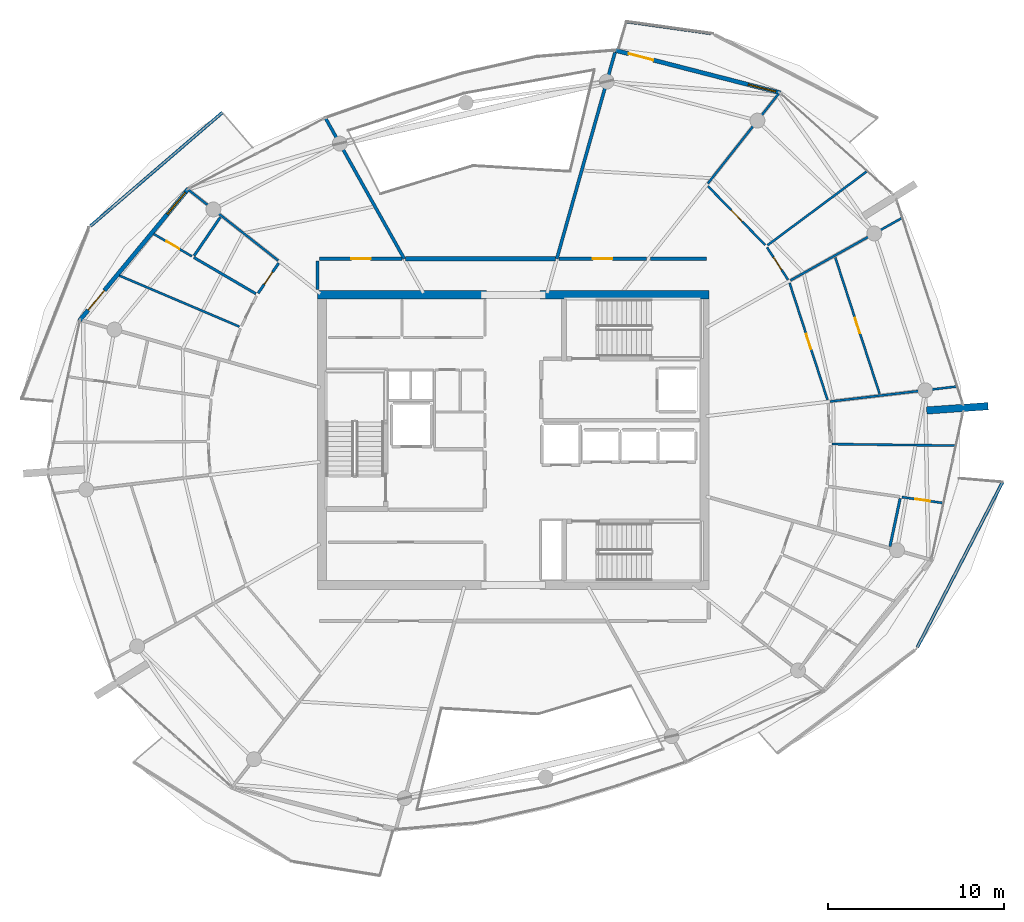
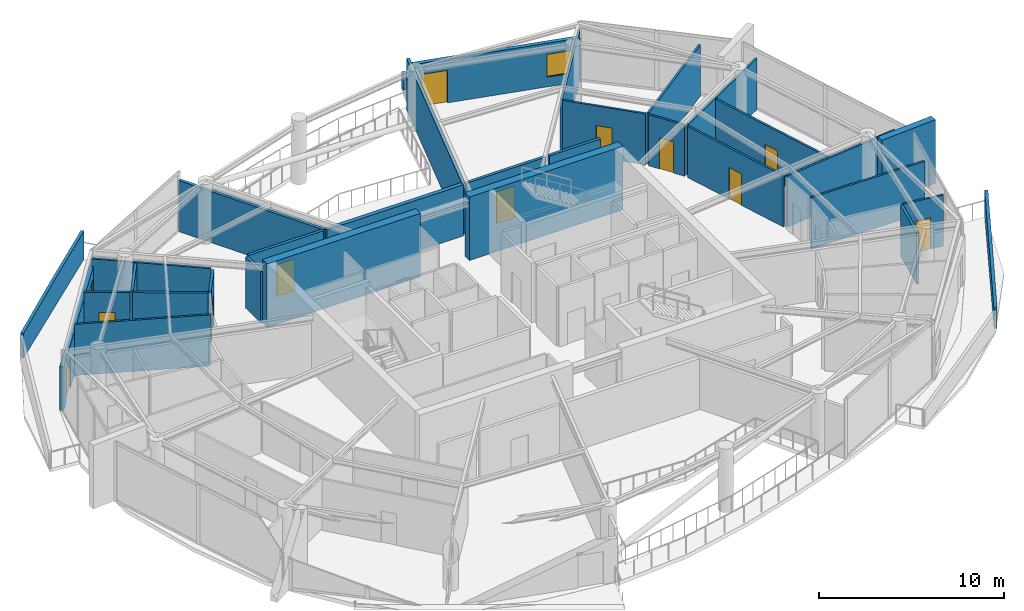
# One storey, part 16 of 22: 32 walls, 11 doors, 2 windows, 13 openings.
"""IFC4 building model written with IfcOpenShell, lengths in metres."""

from ifc_helpers import new_model, si_unit, direction, frame, frame_2d, origin, place, context, subcontext, project, spatial, polyline, rectangle, outline, extrude, material, layer, layer_set, type_object, element, fill, save


model = new_model("IFC4")

# Units and contexts
model_context = context("Model", 3, precision=1e-05, world=origin(), true_north=direction((0.0, 1.0)))
body_context = subcontext(model_context, "Body", "Model", "MODEL_VIEW")
ifc_project = project(units=[si_unit("LENGTHUNIT", "METRE"), si_unit("AREAUNIT", "SQUARE_METRE"), si_unit("VOLUMEUNIT", "CUBIC_METRE"), si_unit("PLANEANGLEUNIT", "RADIAN"), si_unit("MASSUNIT", "GRAM", prefix="KILO")], contexts=[model_context])

# Site, building, storey
site_placement = place(None, origin())
site = spatial("IfcSite", under=ifc_project, at=site_placement, CompositionType="ELEMENT")
building_placement = place(site_placement, origin())
building = spatial("IfcBuilding", under=site, at=building_placement, Name="Kazma Halo Residences", CompositionType="ELEMENT")
storey_placement = place(building_placement, frame((0.0, 0.0, 334.699951171875)))
storey = spatial("IfcBuildingStorey", under=building, at=storey_placement, Name="L84", CompositionType="ELEMENT", Elevation=334.699951171875)

# Walls
ifc_material_1 = material(Name="White Concrete C50/60 Balustrade", Category="concrete")
ifc_layer_1 = layer(ifc_material_1, 0.179931640625)
ifc_layer_set_1 = layer_set([ifc_layer_1], Name="White Concrete C50/60 Balustrade")
wall_type_1 = type_object("IfcWallType", Name="WL-BAL-WAVE-180", PredefinedType="PARAPET", material=ifc_layer_set_1)
wall_1_placement = place(storey_placement, frame((59.654296875, 65.122802734375, 0.0), z_axis=(0.0, 0.0, 1.0), x_axis=(-0.990348542233, 0.138599296164, 0.0)))
element("IfcWall", 1, at=wall_1_placement, inside=storey, type_object=wall_type_1, Name="L84 white wave balustrade wall NE.2", PredefinedType="PARAPET", context=body_context, shape_type="SweptSolid", body=[
    extrude(outline(polyline([(0.0, 0.0), (4.83349609375, 0.0), (4.83349609375, 1.1259765625), (0.0, 1.14794921875), (0.0, 0.0)])), frame((0.0, 0.08984375, 0.0), z_axis=(0.0, -1.0, 0.0), x_axis=(1.0, 0.0, 0.0)), (0.0, 0.0, 1.0), 0.179931640625),
])
wall_2_placement = place(storey_placement, frame((31.892822265625, 60.62744140625, 0.0), z_axis=(0.0, 0.0, 1.0), x_axis=(-0.757886838831, -0.652386035662, 0.0)))
element("IfcWall", 2, at=wall_2_placement, inside=storey, type_object=wall_type_1, Name="L84 white wave balustrade wall NW.1", PredefinedType="PARAPET", context=body_context, shape_type="SweptSolid", body=[
    extrude(outline(polyline([(0.0, 0.0), (9.91357421875, 0.0), (9.913818359375, 1.632080078125), (4.956787109375, 1.798095703125), (0.0, 1.860107421875), (0.0, 0.0)])), frame((0.0, 0.08984375, 0.0), z_axis=(0.0, -1.0, 0.0), x_axis=(1.0, 0.0, 0.0)), (0.0, 0.0, 1.0), 0.179931640625),
])
wall_3_placement = place(storey_placement, frame((71.411865234375, 30.205810546875, 0.0), z_axis=(0.0, 0.0, 1.0), x_axis=(0.458492338696, 0.888698360163, 0.0)))
element("IfcWall", 3, at=wall_3_placement, inside=storey, type_object=wall_type_1, Name="L84 white wave balustrade wall SE.2", PredefinedType="PARAPET", context=body_context, shape_type="SweptSolid", body=[
    extrude(outline(polyline([(0.0, 0.0), (10.572998046875, 0.0), (10.5732421875, 1.7470703125), (5.28662109375, 1.56201171875), (0.0, 1.34814453125), (0.0, 0.0)])), frame((0.0, 0.08984375, 0.0), z_axis=(0.0, -1.0, 0.0), x_axis=(1.0, 0.0, 0.0)), (0.0, 0.0, 1.0), 0.179931640625),
])
ifc_material_2 = material(Name="Pale Concrete C60/75", Category="concrete")
ifc_layer_2 = layer(ifc_material_2, 0.419921875)
ifc_layer_set_2 = layer_set([ifc_layer_2], Name="Pale Concrete C60/75")
wall_type_2 = type_object("IfcWallType", Name="WL-BLADE-420", PredefinedType="SOLIDWALL", material=ifc_layer_set_2)
wall_4_placement = place(storey_placement, frame((71.94091796875, 43.674072265625, 0.0), z_axis=(0.0, 0.0, 1.0), x_axis=(0.997564163539, 0.069754853754, 0.0)))
element("IfcWall", 4, at=wall_4_placement, inside=storey, type_object=wall_type_2, Name="L84 pale concrete structural blade fin wall BW-04", PredefinedType="SOLIDWALL", context=body_context, shape_type="SweptSolid", body=[
    extrude(rectangle(XDim=3.5, YDim=0.419921875, at=frame_2d((1.75, 0.0))), origin(), (0.0, 0.0, 1.0), 4.199951171875),
])
ifc_material_3 = material(Name="Concrete C60/75", Category="concrete")
ifc_layer_3 = layer(ifc_material_3, 0.5)
ifc_layer_set_3 = layer_set([ifc_layer_3], Name="Concrete C60/75")
wall_type_3 = type_object("IfcWallType", Name="WL-CORE-500", PredefinedType="SHEAR", material=ifc_layer_set_3)
wall_5_placement = place(storey_placement, frame((37.300048828125, 50.25, 0.0), z_axis=(0.0, 0.0, 1.0), x_axis=(1.0, 0.0, 0.0)))
element("IfcWall", 5, at=wall_5_placement, inside=storey, type_object=wall_type_3, Name="L84 central core shear wall NW", PredefinedType="SHEAR", context=body_context, shape_type="SweptSolid", body=[
    extrude(rectangle(XDim=9.599853515625, YDim=0.5, at=frame_2d((4.7998046875, 0.0))), origin(), (0.0, 0.0, 1.0), 4.199951171875),
])
wall_6_placement = place(storey_placement, frame((49.949951171875, 50.25, 0.0), z_axis=(0.0, 0.0, 1.0), x_axis=(1.0, 0.0, 0.0)))
element("IfcWall", 6, at=wall_6_placement, inside=storey, type_object=wall_type_3, Name="L84 central core shear wall NE", PredefinedType="SHEAR", context=body_context, shape_type="SweptSolid", body=[
    extrude(rectangle(XDim=9.60009765625, YDim=0.5, at=frame_2d((4.800048828125, 0.0))), origin(), (0.0, 0.0, 1.0), 4.199951171875),
])
ifc_material_4 = material(Name="Acoustic Twin-Stud Gypsum")
ifc_layer_4 = layer(ifc_material_4, 0.179931640625)
ifc_layer_set_4 = layer_set([ifc_layer_4], Name="Acoustic Twin-Stud Gypsum")
wall_type_4 = type_object("IfcWallType", Name="WL-DEM-180", PredefinedType="PARTITIONING", material=ifc_layer_set_4)
wall_7_placement = place(storey_placement, frame((50.90478515625, 52.300048828125, 0.0), z_axis=(0.0, 0.0, 1.0), x_axis=(0.271453030279, 0.962451688321, 0.0)))
element("IfcWall", 7, at=wall_7_placement, inside=storey, type_object=wall_type_4, Name="L84 apartment demising radial wall 02", PredefinedType="PARTITIONING", context=body_context, shape_type="SweptSolid", body=[
    extrude(rectangle(XDim=12.191162109375, YDim=0.179931640625, at=frame_2d((6.095703125, 0.0))), origin(), (0.0, 0.0, 1.0), 3.380126953125),
])
wall_8_placement = place(storey_placement, frame((42.231689453125, 52.300048828125, 0.0), z_axis=(0.0, 0.0, 1.0), x_axis=(-0.488623665245, 0.872494649704, 0.0)))
element("IfcWall", 8, at=wall_8_placement, inside=storey, type_object=wall_type_4, Name="L84 apartment demising radial wall 04", PredefinedType="PARTITIONING", context=body_context, shape_type="SweptSolid", body=[
    extrude(rectangle(XDim=9.156982421875, YDim=0.179931640625, at=frame_2d((4.57861328125, 0.0))), origin(), (0.0, 0.0, 1.0), 3.380126953125),
])

# Wall, opening, door
wall_9_placement = place(storey_placement, frame((42.11181640625, 52.300048828125, 0.0), z_axis=(0.0, 0.0, 1.0), x_axis=(-1.0, 0.0, 0.0)))
wall_9 = element("IfcWall", 9, at=wall_9_placement, inside=storey, type_object=wall_type_4, Name="L84 Penthouse 1 entrance corridor wall", PredefinedType="PARTITIONING", context=body_context, shape_type="SweptSolid", body=[
    extrude(rectangle(XDim=4.69189453125, YDim=0.179931640625, at=frame_2d((2.345947265625, 0.0))), origin(), (0.0, 0.0, 1.0), 3.380126953125),
])
opening_1_placement = place(wall_9_placement, frame((1.7958984375, 0.0, 0.0)))
opening_1 = element("IfcOpeningElement", 10, at=opening_1_placement, cuts=wall_9, Name="Opening DA-1100", PredefinedType="OPENING", context=body_context, shape_type="SweptSolid", body=[
    extrude(rectangle(XDim=1.10009765625, YDim=2.10009765625, at=frame_2d((0.550048828125, 1.050048828125))), frame((0.0, 0.099853515625, 0.0), z_axis=(0.0, -1.0, 0.0), x_axis=(1.0, 0.0, 0.0)), (0.0, 0.0, 1.0), 0.199951171875),
])
ifc_material_5 = material(Name="Acoustic Walnut Fire Leaf")
door_type_1 = type_object("IfcDoorType", Name="DR-FD60-1100", OperationType="NOTDEFINED", PredefinedType="DOOR", material=ifc_material_5)
door_1_placement = place(opening_1_placement, origin())
door_1 = element("IfcDoor", 11, at=door_1_placement, inside=storey, type_object=door_type_1, Name="L84 Penthouse 1 entrance fire door", OperationType="SINGLE_SWING_RIGHT", OverallHeight=2.10009765625, OverallWidth=1.10009765625, PredefinedType="DOOR", context=body_context, shape_type="SweptSolid", body=[
    extrude(rectangle(XDim=1.10009765625, YDim=2.10009765625, at=frame_2d((0.550048828125, 1.050048828125))), frame((0.0, 0.02490234375, 0.0), z_axis=(0.0, -1.0, 0.0), x_axis=(1.0, 0.0, 0.0)), (0.0, 0.0, 1.0), 0.050048828125),
])
fill(opening_1, door_1)

# Wall
wall_10_placement = place(storey_placement, frame((37.300048828125, 52.179931640625, 0.0), z_axis=(0.0, 0.0, 1.0), x_axis=(0.0, -1.0, 0.0)))
element("IfcWall", 12, at=wall_10_placement, inside=storey, type_object=wall_type_4, Name="L84 Penthouse 1 entrance corridor wall", PredefinedType="PARTITIONING", context=body_context, shape_type="SweptSolid", body=[
    extrude(rectangle(XDim=1.624755859375, YDim=0.179931640625, at=frame_2d((0.8125, 0.0))), origin(), (0.0, 0.0, 1.0), 3.380126953125),
])

# Wall, opening, door
wall_11_placement = place(storey_placement, frame((56.0, 52.300048828125, 0.0), z_axis=(0.0, 0.0, 1.0), x_axis=(-1.0, 0.0, 0.0)))
wall_11 = element("IfcWall", 13, at=wall_11_placement, inside=storey, type_object=wall_type_4, Name="L84 Penthouse 4 entrance corridor wall", PredefinedType="PARTITIONING", context=body_context, shape_type="SweptSolid", body=[
    extrude(rectangle(XDim=4.97509765625, YDim=0.179931640625, at=frame_2d((2.487548828125, 0.0))), origin(), (0.0, 0.0, 1.0), 3.380126953125),
])
opening_2_placement = place(wall_11_placement, frame((1.9375, 0.0, 0.0)))
opening_2 = element("IfcOpeningElement", 14, at=opening_2_placement, cuts=wall_11, Name="Opening DA-1100", PredefinedType="OPENING", context=body_context, shape_type="SweptSolid", body=[
    extrude(rectangle(XDim=1.10009765625, YDim=2.10009765625, at=frame_2d((0.550048828125, 1.050048828125))), frame((0.0, 0.099853515625, 0.0), z_axis=(0.0, -1.0, 0.0), x_axis=(1.0, 0.0, 0.0)), (0.0, 0.0, 1.0), 0.199951171875),
])
door_2_placement = place(opening_2_placement, origin())
door_2 = element("IfcDoor", 15, at=door_2_placement, inside=storey, type_object=door_type_1, Name="L84 Penthouse 4 entrance fire door", OperationType="SINGLE_SWING_LEFT", OverallHeight=2.10009765625, OverallWidth=1.10009765625, PredefinedType="DOOR", context=body_context, shape_type="SweptSolid", body=[
    extrude(rectangle(XDim=1.10009765625, YDim=2.10009765625, at=frame_2d((0.550048828125, 1.050048828125))), frame((0.0, 0.02490234375, 0.0), z_axis=(0.0, -1.0, 0.0), x_axis=(1.0, 0.0, 0.0)), (0.0, 0.0, 1.0), 0.050048828125),
])
fill(opening_2, door_2)

# Wall
wall_12_placement = place(storey_placement, frame((59.429931640625, 52.300048828125, 0.0), z_axis=(0.0, 0.0, 1.0), x_axis=(-1.0, 0.0, 0.0)))
element("IfcWall", 16, at=wall_12_placement, inside=storey, type_object=wall_type_4, Name="L84 Penthouse 4 inner wall 0", PredefinedType="PARTITIONING", context=body_context, shape_type="SweptSolid", body=[
    extrude(rectangle(XDim=3.18994140625, YDim=0.179931640625, at=frame_2d((1.594970703125, 0.0))), origin(), (0.0, 0.0, 1.0), 3.380126953125),
])

# Wall, openings, door, window
ifc_material_6 = material(Name="Insulated Pale-Metal Composite Wall")
ifc_layer_5 = layer(ifc_material_6, 0.239990234375)
ifc_layer_set_5 = layer_set([ifc_layer_5], Name="Insulated Pale-Metal Composite Wall")
wall_type_5 = type_object("IfcWallType", Name="WL-EXT-HOST-240", PredefinedType="SOLIDWALL", material=ifc_layer_set_5)
wall_13_placement = place(storey_placement, frame((63.619873046875, 61.73974609375, 0.0), z_axis=(0.0, 0.0, 1.0), x_axis=(-0.968389062354, 0.249444630957, 0.0)))
wall_13 = element("IfcWall", 17, at=wall_13_placement, inside=storey, type_object=wall_type_5, Name="L84 exterior terrace-access wall B02", PredefinedType="SOLIDWALL", context=body_context, shape_type="SweptSolid", body=[
    extrude(rectangle(XDim=9.677734375, YDim=0.239990234375, at=frame_2d((4.8388671875, 0.0))), origin(), (0.0, 0.0, 1.0), 2.89013671875),
])
opening_3_placement = place(wall_13_placement, frame((7.457763671875, 0.0, 0.0)))
opening_3 = element("IfcOpeningElement", 18, at=opening_3_placement, cuts=wall_13, Name="Opening DTR-1600", PredefinedType="OPENING", context=body_context, shape_type="SweptSolid", body=[
    extrude(rectangle(XDim=1.449951171875, YDim=2.14990234375, at=frame_2d((0.72509765625, 1.074951171875))), frame((0.0, 0.1298828125, 0.0), z_axis=(0.0, -1.0, 0.0), x_axis=(1.0, 0.0, 0.0)), (0.0, 0.0, 1.0), 0.260009765625),
])
opening_4_placement = place(wall_13_placement, frame((0.280029296875, 0.0, 0.64990234375)))
opening_4 = element("IfcOpeningElement", 19, at=opening_4_placement, cuts=wall_13, Name="Opening W-1800", PredefinedType="OPENING", context=body_context, shape_type="SweptSolid", body=[
    extrude(rectangle(XDim=1.60009765625, YDim=1.5, at=frame_2d((0.800048828125, 0.75))), frame((0.0, 0.1298828125, 0.0), z_axis=(0.0, -1.0, 0.0), x_axis=(1.0, 0.0, 0.0)), (0.0, 0.0, 1.0), 0.260009765625),
])
ifc_material_7 = material(Name="Aluminium AW-6063 T6 Double-Glazed Terrace Door", Category="aluminium")
door_type_2 = type_object("IfcDoorType", Name="DR-EXT-TERR-1600", OperationType="NOTDEFINED", PredefinedType="DOOR", material=ifc_material_7)
door_3_placement = place(opening_3_placement, origin())
door_3 = element("IfcDoor", 20, at=door_3_placement, inside=storey, type_object=door_type_2, Name="L84 B02 balcony terrace door", OperationType="DOUBLE_DOOR_SLIDING", OverallHeight=2.14990234375, OverallWidth=1.449951171875, PredefinedType="DOOR", context=body_context, shape_type="SweptSolid", body=[
    extrude(rectangle(XDim=1.449951171875, YDim=2.14990234375, at=frame_2d((0.72509765625, 1.074951171875))), frame((0.0, 0.02490234375, 0.0), z_axis=(0.0, -1.0, 0.0), x_axis=(1.0, 0.0, 0.0)), (0.0, 0.0, 1.0), 0.050048828125),
])
fill(opening_3, door_3)
ifc_material_8 = material(Name="Clear Triple-Silver Low-E Glass in Aluminium AW-6063 T6 Frame", Category="aluminium")
window_type = type_object("IfcWindowType", Name="WIN-RES-1800", PartitioningType="DOUBLE_PANEL_VERTICAL", PredefinedType="WINDOW", material=ifc_material_8)
window_1_placement = place(opening_4_placement, origin())
window_1 = element("IfcWindow", 21, at=window_1_placement, inside=storey, type_object=window_type, Name="L84 B02 apartment window", OverallHeight=1.5, OverallWidth=1.60009765625, PartitioningType="SINGLE_PANEL", PredefinedType="WINDOW", context=body_context, shape_type="SweptSolid", body=[
    extrude(rectangle(XDim=1.60009765625, YDim=1.5, at=frame_2d((0.800048828125, 0.75))), frame((0.0, 0.030029296875, 0.0), z_axis=(0.0, -1.0, 0.0), x_axis=(1.0, 0.0, 0.0)), (0.0, 0.0, 1.0), 0.06005859375),
])
fill(opening_4, window_1)

wall_14_placement = place(storey_placement, frame((29.955322265625, 56.288818359375, 0.0), z_axis=(0.0, 0.0, 1.0), x_axis=(-0.636803612721, -0.771026042897, 0.0)))
wall_14 = element("IfcWall", 22, at=wall_14_placement, inside=storey, type_object=wall_type_5, Name="L84 exterior terrace-access wall B06", PredefinedType="SOLIDWALL", context=body_context, shape_type="SweptSolid", body=[
    extrude(rectangle(XDim=9.7275390625, YDim=0.239990234375, at=frame_2d((4.86376953125, 0.0))), origin(), (0.0, 0.0, 1.0), 2.89013671875),
])
opening_5_placement = place(wall_14_placement, frame((7.5078125, 0.0, 0.0)))
opening_5 = element("IfcOpeningElement", 23, at=opening_5_placement, cuts=wall_14, Name="Opening DTR-1600", PredefinedType="OPENING", context=body_context, shape_type="SweptSolid", body=[
    extrude(rectangle(XDim=1.449951171875, YDim=2.14990234375, at=frame_2d((0.72509765625, 1.074951171875))), frame((0.0, 0.1298828125, 0.0), z_axis=(0.0, -1.0, 0.0), x_axis=(1.0, 0.0, 0.0)), (0.0, 0.0, 1.0), 0.260009765625),
])
opening_6_placement = place(wall_14_placement, frame((0.280029296875, 0.0, 0.64990234375)))
opening_6 = element("IfcOpeningElement", 24, at=opening_6_placement, cuts=wall_14, Name="Opening W-1800", PredefinedType="OPENING", context=body_context, shape_type="SweptSolid", body=[
    extrude(rectangle(XDim=1.60009765625, YDim=1.5, at=frame_2d((0.800048828125, 0.75))), frame((0.0, 0.1298828125, 0.0), z_axis=(0.0, -1.0, 0.0), x_axis=(1.0, 0.0, 0.0)), (0.0, 0.0, 1.0), 0.260009765625),
])
door_4_placement = place(opening_5_placement, origin())
door_4 = element("IfcDoor", 25, at=door_4_placement, inside=storey, type_object=door_type_2, Name="L84 B06 balcony terrace door", OperationType="DOUBLE_DOOR_SLIDING", OverallHeight=2.14990234375, OverallWidth=1.449951171875, PredefinedType="DOOR", context=body_context, shape_type="SweptSolid", body=[
    extrude(rectangle(XDim=1.449951171875, YDim=2.14990234375, at=frame_2d((0.72509765625, 1.074951171875))), frame((0.0, 0.02490234375, 0.0), z_axis=(0.0, -1.0, 0.0), x_axis=(1.0, 0.0, 0.0)), (0.0, 0.0, 1.0), 0.050048828125),
])
fill(opening_5, door_4)
window_2_placement = place(opening_6_placement, origin())
window_2 = element("IfcWindow", 26, at=window_2_placement, inside=storey, type_object=window_type, Name="L84 B06 apartment window", OverallHeight=1.5, OverallWidth=1.60009765625, PartitioningType="SINGLE_PANEL", PredefinedType="WINDOW", context=body_context, shape_type="SweptSolid", body=[
    extrude(rectangle(XDim=1.60009765625, YDim=1.5, at=frame_2d((0.800048828125, 0.75))), frame((0.0, 0.030029296875, 0.0), z_axis=(0.0, -1.0, 0.0), x_axis=(1.0, 0.0, 0.0)), (0.0, 0.0, 1.0), 0.06005859375),
])
fill(opening_6, window_2)

# Walls
wall_15_placement = place(storey_placement, frame((50.8349609375, 52.300048828125, 0.0), z_axis=(0.0, 0.0, 1.0), x_axis=(-1.0, 0.0, 0.0)))
element("IfcWall", 27, at=wall_15_placement, inside=storey, type_object=wall_type_5, Name="L84 wind-portal core closure wall", PredefinedType="SOLIDWALL", context=body_context, shape_type="SweptSolid", body=[
    extrude(rectangle(XDim=8.533203125, YDim=0.239990234375, at=frame_2d((4.2666015625, 0.0))), origin(), (0.0, 0.0, 1.0), 3.380126953125),
])
ifc_material_9 = material(Name="Gypsum Plasterboard Partition")
ifc_layer_6 = layer(ifc_material_9, 0.125)
ifc_layer_set_6 = layer_set([ifc_layer_6], Name="Gypsum Plasterboard Partition")
wall_type_6 = type_object("IfcWallType", Name="WL-PART-125", PredefinedType="PARTITIONING", material=ifc_layer_set_6)
wall_16_placement = place(storey_placement, frame((35.064208984375, 52.19775390625, 0.0), z_axis=(0.0, 0.0, 1.0), x_axis=(-0.785319571145, 0.619090600136, 0.0)))
element("IfcWall", 28, at=wall_16_placement, inside=storey, type_object=wall_type_6, Name="L84 Penthouse 1 radial partition 5", PredefinedType="PARTITIONING", context=body_context, shape_type="SweptSolid", body=[
    extrude(rectangle(XDim=6.52099609375, YDim=0.125, at=frame_2d((3.260498046875, 0.0))), origin(), (0.0, 0.0, 1.0), 3.380126953125),
])

# Wall, opening, door
wall_17_placement = place(storey_placement, frame((30.148681640625, 52.44384765625, 0.0), z_axis=(0.0, 0.0, 1.0), x_axis=(-0.863096282512, 0.505039411446, 0.0)))
wall_17 = element("IfcWall", 29, at=wall_17_placement, inside=storey, type_object=wall_type_6, Name="L84 Penthouse 1 Household Store Room partition wall", PredefinedType="PARTITIONING", context=body_context, shape_type="SweptSolid", body=[
    extrude(rectangle(XDim=2.506591796875, YDim=0.125, at=frame_2d((1.25341796875, 0.0))), origin(), (0.0, 0.0, 1.0), 3.380126953125),
])
opening_7_placement = place(wall_17_placement, frame((0.828369140625, 0.0, 0.0)))
opening_7 = element("IfcOpeningElement", 30, at=opening_7_placement, cuts=wall_17, Name="Opening DB-900", PredefinedType="OPENING", context=body_context, shape_type="SweptSolid", body=[
    extrude(rectangle(XDim=0.85009765625, YDim=2.06005859375, at=frame_2d((0.425048828125, 1.030029296875))), frame((0.0, 0.072509765625, 0.0), z_axis=(0.0, -1.0, 0.0), x_axis=(1.0, 0.0, 0.0)), (0.0, 0.0, 1.0), 0.14501953125),
])
ifc_material_10 = material(Name="Moisture-Sealed Timber Leaf", Category="wood")
door_type_3 = type_object("IfcDoorType", Name="DR-BTH-900", OperationType="NOTDEFINED", PredefinedType="DOOR", material=ifc_material_10)
door_5_placement = place(opening_7_placement, origin())
door_5 = element("IfcDoor", 31, at=door_5_placement, inside=storey, type_object=door_type_3, Name="L84 Penthouse 1 Household Store Room door", OperationType="SINGLE_SWING_LEFT", OverallHeight=2.06005859375, OverallWidth=0.85009765625, PredefinedType="DOOR", context=body_context, shape_type="SweptSolid", body=[
    extrude(rectangle(XDim=0.85009765625, YDim=2.06005859375, at=frame_2d((0.425048828125, 1.030029296875))), frame((0.0, 0.02490234375, 0.0), z_axis=(0.0, -1.0, 0.0), x_axis=(1.0, 0.0, 0.0)), (0.0, 0.0, 1.0), 0.050048828125),
])
fill(opening_7, door_5)

# Wall
wall_18_placement = place(storey_placement, frame((32.851318359375, 48.44287109375, 0.0), z_axis=(0.0, 0.0, 1.0), x_axis=(-0.92023815321, 0.391358839655, 0.0)))
element("IfcWall", 32, at=wall_18_placement, inside=storey, type_object=wall_type_6, Name="L84 Penthouse 1 suite divider 5", PredefinedType="PARTITIONING", context=body_context, shape_type="SweptSolid", body=[
    extrude(rectangle(XDim=7.41552734375, YDim=0.125, at=frame_2d((3.707763671875, 0.0))), origin(), (0.0, 0.0, 1.0), 3.380126953125),
])

# Wall, opening, door
wall_19_placement = place(storey_placement, frame((70.54248046875, 38.74658203125, 0.0), z_axis=(0.0, 0.0, 1.0), x_axis=(0.989739260165, -0.14288525777, 0.0)))
wall_19 = element("IfcWall", 33, at=wall_19_placement, inside=storey, type_object=wall_type_6, Name="L84 Penthouse 4 Utility Laundry Room partition wall", PredefinedType="PARTITIONING", context=body_context, shape_type="SweptSolid", body=[
    extrude(rectangle(XDim=2.35791015625, YDim=0.125, at=frame_2d((1.178955078125, 0.0))), origin(), (0.0, 0.0, 1.0), 3.380126953125),
])
opening_8_placement = place(wall_19_placement, frame((0.75390625, 0.0, 0.0)))
opening_8 = element("IfcOpeningElement", 34, at=opening_8_placement, cuts=wall_19, Name="Opening DB-900", PredefinedType="OPENING", context=body_context, shape_type="SweptSolid", body=[
    extrude(rectangle(XDim=0.85009765625, YDim=2.06005859375, at=frame_2d((0.425048828125, 1.030029296875))), frame((0.0, 0.072509765625, 0.0), z_axis=(0.0, -1.0, 0.0), x_axis=(1.0, 0.0, 0.0)), (0.0, 0.0, 1.0), 0.14501953125),
])
door_6_placement = place(opening_8_placement, origin())
door_6 = element("IfcDoor", 35, at=door_6_placement, inside=storey, type_object=door_type_3, Name="L84 Penthouse 4 Utility Laundry Room door", OperationType="SINGLE_SWING_RIGHT", OverallHeight=2.06005859375, OverallWidth=0.85009765625, PredefinedType="DOOR", context=body_context, shape_type="SweptSolid", body=[
    extrude(rectangle(XDim=0.85009765625, YDim=2.06005859375, at=frame_2d((0.425048828125, 1.030029296875))), frame((0.0, 0.02490234375, 0.0), z_axis=(0.0, -1.0, 0.0), x_axis=(1.0, 0.0, 0.0)), (0.0, 0.0, 1.0), 0.050048828125),
])
fill(opening_8, door_6)

# Walls
wall_20_placement = place(storey_placement, frame((66.554443359375, 41.76318359375, 0.0), z_axis=(0.0, 0.0, 1.0), x_axis=(0.999918613841, -0.012757965905, 0.0)))
element("IfcWall", 36, at=wall_20_placement, inside=storey, type_object=wall_type_6, Name="L84 Penthouse 4 suite divider 14", PredefinedType="PARTITIONING", context=body_context, shape_type="SweptSolid", body=[
    extrude(rectangle(XDim=7.02294921875, YDim=0.125, at=frame_2d((3.511474609375, 0.0))), origin(), (0.0, 0.0, 1.0), 3.380126953125),
])
wall_21_placement = place(storey_placement, frame((66.437255859375, 44.18212890625, 0.0), z_axis=(0.0, 0.0, 1.0), x_axis=(0.993068294254, 0.117538772104, 0.0)))
element("IfcWall", 37, at=wall_21_placement, inside=storey, type_object=wall_type_6, Name="L84 Penthouse 4 radial partition 15", PredefinedType="PARTITIONING", context=body_context, shape_type="SweptSolid", body=[
    extrude(rectangle(XDim=7.269775390625, YDim=0.125, at=frame_2d((3.634765625, 0.0))), origin(), (0.0, 0.0, 1.0), 3.380126953125),
])

# Wall, opening, door
wall_22_placement = place(storey_placement, frame((66.303955078125, 44.27490234375, 0.0), z_axis=(0.0, 0.0, 1.0), x_axis=(-0.309004669588, 0.951060520773, 0.0)))
wall_22 = element("IfcWall", 38, at=wall_22_placement, inside=storey, type_object=wall_type_6, Name="L84 Penthouse 4 Primary Study hall wall", PredefinedType="PARTITIONING", context=body_context, shape_type="SweptSolid", body=[
    extrude(rectangle(XDim=6.985107421875, YDim=0.125, at=frame_2d((3.49267578125, 0.0))), origin(), (0.0, 0.0, 1.0), 3.380126953125),
])
opening_9_placement = place(wall_22_placement, frame((3.04248046875, 0.0, 0.0)))
opening_9 = element("IfcOpeningElement", 39, at=opening_9_placement, cuts=wall_22, Name="Opening DI-950", PredefinedType="OPENING", context=body_context, shape_type="SweptSolid", body=[
    extrude(rectangle(XDim=0.89990234375, YDim=2.080078125, at=frame_2d((0.449951171875, 1.0400390625))), frame((0.0, 0.072509765625, 0.0), z_axis=(0.0, -1.0, 0.0), x_axis=(1.0, 0.0, 0.0)), (0.0, 0.0, 1.0), 0.14501953125),
])
ifc_material_11 = material(Name="Timber Veneer Flush Leaf", Category="wood")
door_type_4 = type_object("IfcDoorType", Name="DR-INT-950", OperationType="NOTDEFINED", PredefinedType="DOOR", material=ifc_material_11)
door_7_placement = place(opening_9_placement, origin())
door_7 = element("IfcDoor", 40, at=door_7_placement, inside=storey, type_object=door_type_4, Name="L84 Penthouse 4 Primary Study door", OperationType="SINGLE_SWING_RIGHT", OverallHeight=2.080078125, OverallWidth=0.89990234375, PredefinedType="DOOR", context=body_context, shape_type="SweptSolid", body=[
    extrude(rectangle(XDim=0.89990234375, YDim=2.080078125, at=frame_2d((0.449951171875, 1.0400390625))), frame((0.0, 0.02490234375, 0.0), z_axis=(0.0, -1.0, 0.0), x_axis=(1.0, 0.0, 0.0)), (0.0, 0.0, 1.0), 0.050048828125),
])
fill(opening_9, door_7)

wall_23_placement = place(storey_placement, frame((69.262451171875, 44.625244140625, 0.0), z_axis=(0.0, 0.0, 1.0), x_axis=(-0.309035931503, 0.951050363041, 0.0)))
wall_23 = element("IfcWall", 41, at=wall_23_placement, inside=storey, type_object=wall_type_6, Name="L84 Penthouse 4 Secondary Master Bedroom divider wall", PredefinedType="PARTITIONING", context=body_context, shape_type="SweptSolid", body=[
    extrude(rectangle(XDim=8.1474609375, YDim=0.125, at=frame_2d((4.07373046875, 0.0))), origin(), (0.0, 0.0, 1.0), 3.380126953125),
])
opening_10_placement = place(wall_23_placement, frame((3.623779296875, 0.0, 0.0)))
opening_10 = element("IfcOpeningElement", 42, at=opening_10_placement, cuts=wall_23, Name="Opening DI-950", PredefinedType="OPENING", context=body_context, shape_type="SweptSolid", body=[
    extrude(rectangle(XDim=0.89990234375, YDim=2.080078125, at=frame_2d((0.449951171875, 1.0400390625))), frame((0.0, 0.072509765625, 0.0), z_axis=(0.0, -1.0, 0.0), x_axis=(1.0, 0.0, 0.0)), (0.0, 0.0, 1.0), 0.14501953125),
])
door_8_placement = place(opening_10_placement, origin())
door_8 = element("IfcDoor", 43, at=door_8_placement, inside=storey, type_object=door_type_4, Name="L84 Penthouse 4 Secondary Master Bedroom door", OperationType="SINGLE_SWING_LEFT", OverallHeight=2.080078125, OverallWidth=0.89990234375, PredefinedType="DOOR", context=body_context, shape_type="SweptSolid", body=[
    extrude(rectangle(XDim=0.89990234375, YDim=2.080078125, at=frame_2d((0.449951171875, 1.0400390625))), frame((0.0, 0.02490234375, 0.0), z_axis=(0.0, -1.0, 0.0), x_axis=(1.0, 0.0, 0.0)), (0.0, 0.0, 1.0), 0.050048828125),
])
fill(opening_10, door_8)

# Walls
wall_24_placement = place(storey_placement, frame((64.19873046875, 51.07177734375, 0.0), z_axis=(0.0, 0.0, 1.0), x_axis=(0.87250315253, 0.488608482146, 0.0)))
element("IfcWall", 44, at=wall_24_placement, inside=storey, type_object=wall_type_6, Name="L84 Penthouse 4 radial partition 0", PredefinedType="PARTITIONING", context=body_context, shape_type="SweptSolid", body=[
    extrude(rectangle(XDim=7.26953125, YDim=0.125, at=frame_2d((3.634765625, 0.0))), origin(), (0.0, 0.0, 1.0), 3.380126953125),
])
wall_25_placement = place(storey_placement, frame((59.494140625, 56.580078125, 0.0), z_axis=(0.0, 0.0, 1.0), x_axis=(0.619074661851, 0.785332135503, 0.0)))
element("IfcWall", 45, at=wall_25_placement, inside=storey, type_object=wall_type_6, Name="L84 Penthouse 4 living radial partition 0", PredefinedType="PARTITIONING", context=body_context, shape_type="SweptSolid", body=[
    extrude(rectangle(XDim=6.56103515625, YDim=0.125, at=frame_2d((3.280517578125, 0.0))), origin(), (0.0, 0.0, 1.0), 3.380126953125),
])
wall_26_placement = place(storey_placement, frame((62.891357421875, 53.0712890625, 0.0), z_axis=(0.0, 0.0, 1.0), x_axis=(0.802496866104, 0.596656333154, 0.0)))
element("IfcWall", 46, at=wall_26_placement, inside=storey, type_object=wall_type_6, Name="L84 Penthouse 4 mid-bay wall 0", PredefinedType="PARTITIONING", context=body_context, shape_type="SweptSolid", body=[
    extrude(rectangle(XDim=7.0322265625, YDim=0.125, at=frame_2d((3.51611328125, 0.0))), origin(), (0.0, 0.0, 1.0), 3.380126953125),
])

# Wall, opening, door
wall_27_placement = place(storey_placement, frame((64.05712890625, 51.106689453125, 0.0), z_axis=(0.0, 0.0, 1.0), x_axis=(-0.543753429113, 0.83924502282, 0.0)))
wall_27 = element("IfcWall", 47, at=wall_27_placement, inside=storey, type_object=wall_type_6, Name="L84 Penthouse 4 East Wine Pantry Store hall wall", PredefinedType="PARTITIONING", context=body_context, shape_type="SweptSolid", body=[
    extrude(rectangle(XDim=2.197021484375, YDim=0.125, at=frame_2d((1.0986328125, 0.0))), origin(), (0.0, 0.0, 1.0), 3.380126953125),
])
opening_11_placement = place(wall_27_placement, frame((0.67333984375, 0.0, 0.0)))
opening_11 = element("IfcOpeningElement", 48, at=opening_11_placement, cuts=wall_27, Name="Opening DB-900", PredefinedType="OPENING", context=body_context, shape_type="SweptSolid", body=[
    extrude(rectangle(XDim=0.85009765625, YDim=2.06005859375, at=frame_2d((0.425048828125, 1.030029296875))), frame((0.0, 0.072509765625, 0.0), z_axis=(0.0, -1.0, 0.0), x_axis=(1.0, 0.0, 0.0)), (0.0, 0.0, 1.0), 0.14501953125),
])
door_9_placement = place(opening_11_placement, origin())
door_9 = element("IfcDoor", 49, at=door_9_placement, inside=storey, type_object=door_type_3, Name="L84 Penthouse 4 East Wine Pantry Store door", OperationType="SINGLE_SWING_LEFT", OverallHeight=2.06005859375, OverallWidth=0.85009765625, PredefinedType="DOOR", context=body_context, shape_type="SweptSolid", body=[
    extrude(rectangle(XDim=0.85009765625, YDim=2.06005859375, at=frame_2d((0.425048828125, 1.030029296875))), frame((0.0, 0.02490234375, 0.0), z_axis=(0.0, -1.0, 0.0), x_axis=(1.0, 0.0, 0.0)), (0.0, 0.0, 1.0), 0.050048828125),
])
fill(opening_11, door_9)

wall_28_placement = place(storey_placement, frame((62.76318359375, 53.074951171875, 0.0), z_axis=(0.0, 0.0, 1.0), x_axis=(-0.69701729014, 0.717054319592, 0.0)))
wall_28 = element("IfcWall", 50, at=wall_28_placement, inside=storey, type_object=wall_type_6, Name="L84 Penthouse 4 West Formal Dining Room hall wall", PredefinedType="PARTITIONING", context=body_context, shape_type="SweptSolid", body=[
    extrude(rectangle(XDim=4.678955078125, YDim=0.125, at=frame_2d((2.33935546875, 0.0))), origin(), (0.0, 0.0, 1.0), 3.380126953125),
])
opening_12_placement = place(wall_28_placement, frame((1.889404296875, 0.0, 0.0)))
opening_12 = element("IfcOpeningElement", 51, at=opening_12_placement, cuts=wall_28, Name="Opening DI-950", PredefinedType="OPENING", context=body_context, shape_type="SweptSolid", body=[
    extrude(rectangle(XDim=0.89990234375, YDim=2.080078125, at=frame_2d((0.449951171875, 1.0400390625))), frame((0.0, 0.072509765625, 0.0), z_axis=(0.0, -1.0, 0.0), x_axis=(1.0, 0.0, 0.0)), (0.0, 0.0, 1.0), 0.14501953125),
])
door_10_placement = place(opening_12_placement, origin())
door_10 = element("IfcDoor", 52, at=door_10_placement, inside=storey, type_object=door_type_4, Name="L84 Penthouse 4 West Formal Dining Room door", OperationType="SINGLE_SWING_RIGHT", OverallHeight=2.080078125, OverallWidth=0.89990234375, PredefinedType="DOOR", context=body_context, shape_type="SweptSolid", body=[
    extrude(rectangle(XDim=0.89990234375, YDim=2.080078125, at=frame_2d((0.449951171875, 1.0400390625))), frame((0.0, 0.02490234375, 0.0), z_axis=(0.0, -1.0, 0.0), x_axis=(1.0, 0.0, 0.0)), (0.0, 0.0, 1.0), 0.050048828125),
])
fill(opening_12, door_10)

ifc_material_12 = material(Name="Moisture-Resistant Gypsum")
ifc_layer_7 = layer(ifc_material_12, 0.14990234375)
ifc_layer_set_7 = layer_set([ifc_layer_7], Name="Moisture-Resistant Gypsum")
wall_type_7 = type_object("IfcWallType", Name="WL-WET-150", PredefinedType="PARTITIONING", material=ifc_layer_set_7)
wall_29_placement = place(storey_placement, frame((35.08642578125, 52.05322265625, 0.0), z_axis=(0.0, 0.0, 1.0), x_axis=(-0.563373395767, -0.826202406763, 0.0)))
wall_29 = element("IfcWall", 53, at=wall_29_placement, inside=storey, type_object=wall_type_7, Name="L84 Penthouse 1 Guest Bathroom hall wall", PredefinedType="PARTITIONING", context=body_context, shape_type="SweptSolid", body=[
    extrude(rectangle(XDim=2.071533203125, YDim=0.14990234375, at=frame_2d((1.03564453125, 0.0))), origin(), (0.0, 0.0, 1.0), 3.380126953125),
])
opening_13_placement = place(wall_29_placement, frame((0.610595703125, 0.0, 0.0)))
opening_13 = element("IfcOpeningElement", 54, at=opening_13_placement, cuts=wall_29, Name="Opening DB-900", PredefinedType="OPENING", context=body_context, shape_type="SweptSolid", body=[
    extrude(rectangle(XDim=0.85009765625, YDim=2.06005859375, at=frame_2d((0.425048828125, 1.030029296875))), frame((0.0, 0.0849609375, 0.0), z_axis=(0.0, -1.0, 0.0), x_axis=(1.0, 0.0, 0.0)), (0.0, 0.0, 1.0), 0.169921875),
])
door_11_placement = place(opening_13_placement, origin())
door_11 = element("IfcDoor", 55, at=door_11_placement, inside=storey, type_object=door_type_3, Name="L84 Penthouse 1 Guest Bathroom door", OperationType="SINGLE_SWING_RIGHT", OverallHeight=2.06005859375, OverallWidth=0.85009765625, PredefinedType="DOOR", context=body_context, shape_type="SweptSolid", body=[
    extrude(rectangle(XDim=0.85009765625, YDim=2.06005859375, at=frame_2d((0.425048828125, 1.030029296875))), frame((0.0, 0.02490234375, 0.0), z_axis=(0.0, -1.0, 0.0), x_axis=(1.0, 0.0, 0.0)), (0.0, 0.0, 1.0), 0.050048828125),
])
fill(opening_13, door_11)

# Walls
wall_30_placement = place(storey_placement, frame((31.7724609375, 54.665771484375, 0.0), z_axis=(0.0, 0.0, 1.0), x_axis=(-0.563393907047, -0.826188420097, 0.0)))
element("IfcWall", 56, at=wall_30_placement, inside=storey, type_object=wall_type_7, Name="L84 Penthouse 1 Guest Bathroom back wall", PredefinedType="PARTITIONING", context=body_context, shape_type="SweptSolid", body=[
    extrude(rectangle(XDim=2.654296875, YDim=0.14990234375, at=frame_2d((1.3271484375, 0.0))), origin(), (0.0, 0.0, 1.0), 3.380126953125),
])
wall_31_placement = place(storey_placement, frame((33.791015625, 50.31298828125, 0.0), z_axis=(0.0, 0.0, 1.0), x_axis=(-0.863113475275, 0.505010028413, 0.0)))
element("IfcWall", 57, at=wall_31_placement, inside=storey, type_object=wall_type_7, Name="L84 Penthouse 1 Guest Bathroom side wall", PredefinedType="PARTITIONING", context=body_context, shape_type="SweptSolid", body=[
    extrude(rectangle(XDim=4.08984375, YDim=0.14990234375, at=frame_2d((2.044921875, 0.0))), origin(), (0.0, 0.0, 1.0), 3.380126953125),
])
wall_32_placement = place(storey_placement, frame((69.85498046875, 35.93994140625, 0.0), z_axis=(0.0, 0.0, 1.0), x_axis=(0.207653795029, 0.978202382644, 0.0)))
element("IfcWall", 58, at=wall_32_placement, inside=storey, type_object=wall_type_7, Name="L84 Penthouse 4 Guest Bathroom back wall", PredefinedType="PARTITIONING", context=body_context, shape_type="SweptSolid", body=[
    extrude(rectangle(XDim=2.792236328125, YDim=0.14990234375, at=frame_2d((1.39599609375, 0.0))), origin(), (0.0, 0.0, 1.0), 3.380126953125),
])

save(model, "model.ifc")
